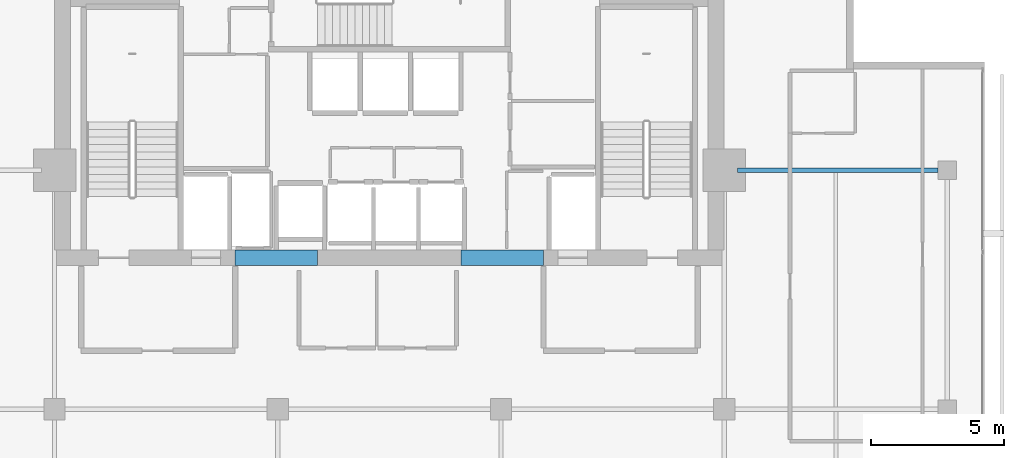
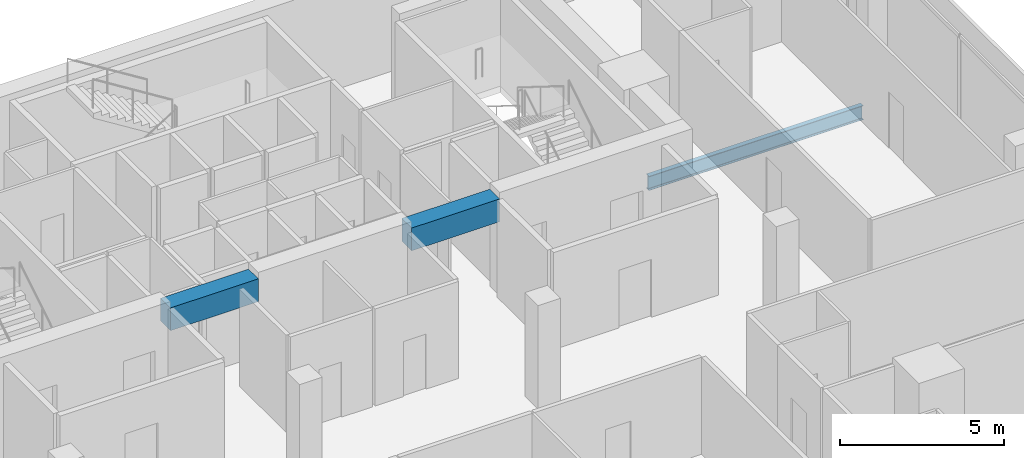
# One storey, part 17 of 25: 3 beams.
"""IFC4 building model written with IfcOpenShell, lengths in metres."""

from ifc_helpers import new_model, si_unit, direction, frame, origin, origin_2d, place, context, subcontext, project, spatial, rectangle, i_section, extrude, material, material_profile, profile_set, type_object, element, save


model = new_model("IFC4")

# Units and contexts
model_context = context("Model", 3, precision=1e-05, world=origin(), true_north=direction((0.0, 1.0)))
body_context = subcontext(model_context, "Body", "Model", "MODEL_VIEW")
ifc_project = project(units=[si_unit("LENGTHUNIT", "METRE"), si_unit("AREAUNIT", "SQUARE_METRE"), si_unit("VOLUMEUNIT", "CUBIC_METRE"), si_unit("PLANEANGLEUNIT", "RADIAN"), si_unit("MASSUNIT", "GRAM", prefix="KILO")], contexts=[model_context])

# Site, building, storey
site_placement = place(None, origin())
site = spatial("IfcSite", under=ifc_project, at=site_placement, CompositionType="ELEMENT")
building_placement = place(site_placement, origin())
building = spatial("IfcBuilding", under=site, at=building_placement, Name="Maruvema Waterfront Hotel and Observation Tower", CompositionType="ELEMENT")
storey_placement = place(building_placement, frame((0.0, 0.0, 277.89990234375)))
storey = spatial("IfcBuildingStorey", under=building, at=storey_placement, Name="L68", CompositionType="ELEMENT", Elevation=277.89990234375)

# Beams
ifc_material_1 = material(Name="Concrete C60/75", Category="concrete")
ifc_material_profile_1 = material_profile(ifc_material_1, rectangle(XDim=0.60009765625, YDim=0.85009765625, at=origin_2d()), Name="CB600x850")
ifc_profile_set_1 = profile_set([ifc_material_profile_1], Name="Concrete C60/75")
beam_type_1 = type_object("IfcBeamType", Name="Core Coupling Lintel Beam CB600x850", PredefinedType="LINTEL", material=ifc_profile_set_1)
for number, where, z_axis, x_axis, name in (
    (1, (32.0, 41.699951171875, 3.18505859375), (1.0, 0.0, 0.0), (0.0, 1.0, 0.0), "L68 Core Coupling Lintel Beam West"),
    (2, (40.5, 41.699951171875, 3.18505859375), (1.0, 0.0, 0.0), (0.0, 1.0, 0.0), "L68 Core Coupling Lintel Beam East"),
):
    element("IfcBeam", number, at=place(storey_placement, frame(where, z_axis=z_axis, x_axis=x_axis)), inside=storey, type_object=beam_type_1, Name=name, PredefinedType="LINTEL", context=body_context, shape_type="SweptSolid", body=[
        extrude(rectangle(XDim=0.60009765625, YDim=0.85009765625, at=origin_2d()), origin(), (0.0, 0.0, 1.0), 3.10009765625),
    ])
ifc_material_2 = material(Name="Steel ASTM A572 Grade 50", Category="steel")
ifc_material_profile_2 = material_profile(ifc_material_2, i_section(OverallWidth=0.166015625, OverallDepth=0.529052734375, WebThickness=0.009765625, FlangeThickness=0.013671875, FilletRadius=0.014892578125, at=origin_2d()), Name="W530x74.0")
ifc_profile_set_2 = profile_set([ifc_material_profile_2], Name="Steel ASTM A572 Grade 50")
beam_type_2 = type_object("IfcBeamType", Name="Primary Floor Girder W530x74.0", PredefinedType="BEAM", material=ifc_profile_set_2)
beam_placement = place(storey_placement, frame((50.89990234375, 45.0, -0.50439453125), z_axis=(1.0, 0.0, 0.0), x_axis=(0.0, 1.0, 0.0)))
element("IfcBeam", 3, at=beam_placement, inside=storey, type_object=beam_type_2, Name="L68 Floor Girder EW-18", PredefinedType="BEAM", context=body_context, shape_type="SweptSolid", body=[
    extrude(i_section(OverallWidth=0.166015625, OverallDepth=0.529052734375, WebThickness=0.009765625, FlangeThickness=0.013671875, FilletRadius=0.014892578125, at=origin_2d()), origin(), (0.0, 0.0, 1.0), 7.550048828125),
])

save(model, "model.ifc")
